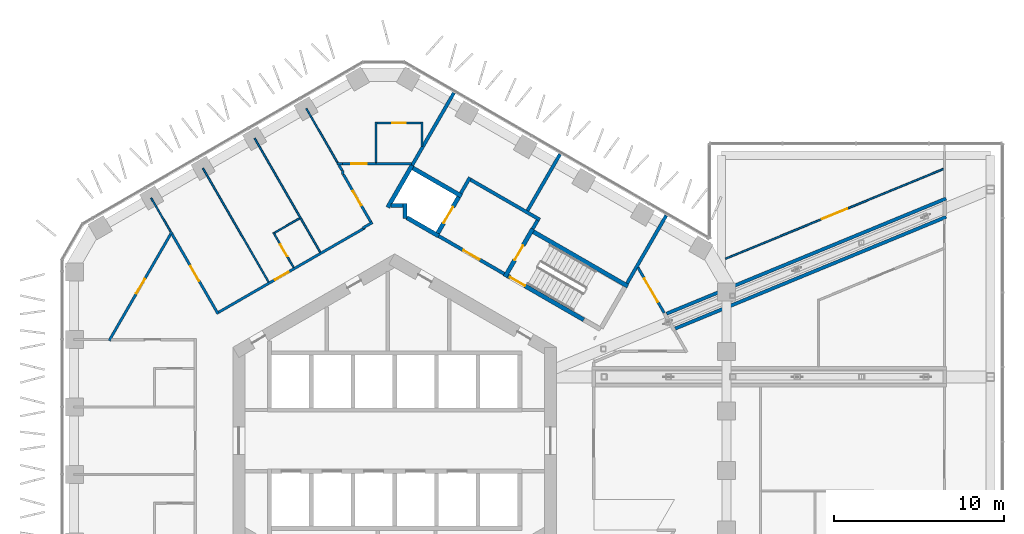
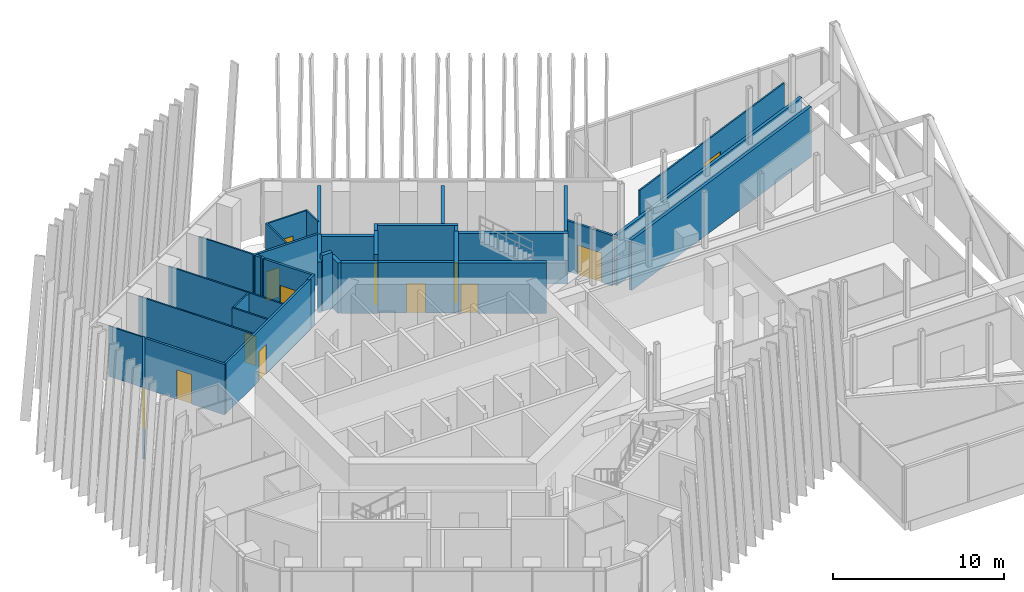
# One storey, part 22 of 28: 38 walls, 13 doors, 13 openings.
"""IFC4 building model written with IfcOpenShell, lengths in metres."""

from ifc_helpers import new_model, si_unit, direction, frame, frame_2d, origin, place, context, subcontext, project, spatial, rectangle, extrude, material, layer, layer_set, type_object, element, fill, save


model = new_model("IFC4")

# Units and contexts
model_context = context("Model", 3, precision=1e-05, world=origin(), true_north=direction((0.0, 1.0)))
body_context = subcontext(model_context, "Body", "Model", "MODEL_VIEW")
ifc_project = project(units=[si_unit("LENGTHUNIT", "METRE"), si_unit("AREAUNIT", "SQUARE_METRE"), si_unit("VOLUMEUNIT", "CUBIC_METRE"), si_unit("PLANEANGLEUNIT", "RADIAN"), si_unit("MASSUNIT", "GRAM", prefix="KILO")], contexts=[model_context])

# Site, building, storey
site_placement = place(None, origin())
site = spatial("IfcSite", under=ifc_project, at=site_placement, CompositionType="ELEMENT")
building_placement = place(site_placement, origin())
building = spatial("IfcBuilding", under=site, at=building_placement, Name="Ayvan Gate Tower", CompositionType="ELEMENT")
storey_placement = place(building_placement, frame((0.0, 0.0, 120.5)))
storey = spatial("IfcBuildingStorey", under=building, at=storey_placement, Name="L32", CompositionType="ELEMENT", Elevation=120.5)

# Wall, opening, door
ifc_material_1 = material(Name="Plasterboard on steel stud", Category="steel")
ifc_layer_1 = layer(ifc_material_1, 0.14990234375)
ifc_layer_set_1 = layer_set([ifc_layer_1], Name="Plasterboard on steel stud")
wall_type_1 = type_object("IfcWallType", Name="WT-CORR-150", PredefinedType="PARTITIONING", material=ifc_layer_set_1)
wall_1_placement = place(storey_placement, frame((-16.769775390625, 5.8720703125, 0.0), z_axis=(0.0, 0.0, 1.0), x_axis=(0.500023029176, 0.866012107475, 0.0)))
wall_1 = element("IfcWall", 1, at=wall_1_placement, inside=storey, type_object=wall_type_1, Name="IW-L32-003", PredefinedType="PARTITIONING", context=body_context, shape_type="SweptSolid", body=[
    extrude(rectangle(XDim=7.382568359375, YDim=0.14990234375, at=frame_2d((3.69140625, 0.0))), origin(), (0.0, 0.0, 1.0), 3.60009765625),
])
opening_1_placement = place(wall_1_placement, frame((3.19140625, 0.0, 0.0)))
opening_1 = element("IfcOpeningElement", 2, at=opening_1_placement, cuts=wall_1, Name="Opening L32-D19", PredefinedType="OPENING", context=body_context, shape_type="SweptSolid", body=[
    extrude(rectangle(XDim=1.0, YDim=2.10009765625, at=frame_2d((0.5, 1.050048828125))), frame((0.0, 0.0849609375, 0.0), z_axis=(0.0, -1.0, 0.0), x_axis=(1.0, 0.0, 0.0)), (0.0, 0.0, 1.0), 0.169921875),
])
ifc_material_2 = material(Name="Timber door leaf", Category="wood")
door_type_1 = type_object("IfcDoorType", Name="DT-1000", OperationType="NOTDEFINED", PredefinedType="DOOR", material=ifc_material_2)
door_1_placement = place(opening_1_placement, origin())
door_1 = element("IfcDoor", 3, at=door_1_placement, inside=storey, type_object=door_type_1, Name="ID-L32-019", OperationType="SINGLE_SWING_LEFT", OverallHeight=2.10009765625, OverallWidth=1.0, PredefinedType="DOOR", context=body_context, shape_type="SweptSolid", body=[
    extrude(rectangle(XDim=1.0, YDim=2.10009765625, at=frame_2d((0.5, 1.050048828125))), frame((0.0, 0.02490234375, 0.0), z_axis=(0.0, -1.0, 0.0), x_axis=(1.0, 0.0, 0.0)), (0.0, 0.0, 1.0), 0.050048828125),
])
fill(opening_1, door_1)

wall_2_placement = place(storey_placement, frame((-13.078369140625, 12.135498046875, 0.0), z_axis=(0.0, 0.0, 1.0), x_axis=(0.499992600721, -0.866029675718, 0.0)))
wall_2 = element("IfcWall", 4, at=wall_2_placement, inside=storey, type_object=wall_type_1, Name="IW-L32-011", PredefinedType="PARTITIONING", context=body_context, shape_type="SweptSolid", body=[
    extrude(rectangle(XDim=5.423828125, YDim=0.14990234375, at=frame_2d((2.7119140625, 0.0))), origin(), (0.0, 0.0, 1.0), 3.60009765625),
])
opening_2_placement = place(wall_2_placement, frame((2.174560546875, 0.0, 0.0)))
opening_2 = element("IfcOpeningElement", 5, at=opening_2_placement, cuts=wall_2, Name="Opening L32-D31", PredefinedType="OPENING", context=body_context, shape_type="SweptSolid", body=[
    extrude(rectangle(XDim=1.0, YDim=2.10009765625, at=frame_2d((0.5, 1.050048828125))), frame((0.0, 0.0849609375, 0.0), z_axis=(0.0, -1.0, 0.0), x_axis=(1.0, 0.0, 0.0)), (0.0, 0.0, 1.0), 0.169921875),
])
door_2_placement = place(opening_2_placement, origin())
door_2 = element("IfcDoor", 6, at=door_2_placement, inside=storey, type_object=door_type_1, Name="ID-L32-031", OperationType="SINGLE_SWING_LEFT", OverallHeight=2.10009765625, OverallWidth=1.0, PredefinedType="DOOR", context=body_context, shape_type="SweptSolid", body=[
    extrude(rectangle(XDim=1.0, YDim=2.10009765625, at=frame_2d((0.5, 1.050048828125))), frame((0.0, 0.02490234375, 0.0), z_axis=(0.0, -1.0, 0.0), x_axis=(1.0, 0.0, 0.0)), (0.0, 0.0, 1.0), 0.050048828125),
])
fill(opening_2, door_2)

wall_3_placement = place(storey_placement, frame((-10.339111328125, 7.540771484375, 0.0), z_axis=(0.0, 0.0, 1.0), x_axis=(0.86602646553, 0.499998160998, 0.0)))
wall_3 = element("IfcWall", 7, at=wall_3_placement, inside=storey, type_object=wall_type_1, Name="IW-L32-019", PredefinedType="PARTITIONING", context=body_context, shape_type="SweptSolid", body=[
    extrude(rectangle(XDim=9.91357421875, YDim=0.14990234375, at=frame_2d((4.956787109375, 0.0))), origin(), (0.0, 0.0, 1.0), 3.60009765625),
])
opening_3_placement = place(wall_3_placement, frame((3.830810546875, 0.0, 0.0)))
opening_3 = element("IfcOpeningElement", 8, at=opening_3_placement, cuts=wall_3, Name="Opening L32-D29", PredefinedType="OPENING", context=body_context, shape_type="SweptSolid", body=[
    extrude(rectangle(XDim=0.89990234375, YDim=2.10009765625, at=frame_2d((0.449951171875, 1.050048828125))), frame((0.0, 0.0849609375, 0.0), z_axis=(0.0, -1.0, 0.0), x_axis=(1.0, 0.0, 0.0)), (0.0, 0.0, 1.0), 0.169921875),
])
door_type_2 = type_object("IfcDoorType", Name="DT-900", OperationType="NOTDEFINED", PredefinedType="DOOR", material=ifc_material_2)
door_3_placement = place(opening_3_placement, origin())
door_3 = element("IfcDoor", 9, at=door_3_placement, inside=storey, type_object=door_type_2, Name="ID-L32-029", OperationType="SINGLE_SWING_LEFT", OverallHeight=2.10009765625, OverallWidth=0.89990234375, PredefinedType="DOOR", context=body_context, shape_type="SweptSolid", body=[
    extrude(rectangle(XDim=0.89990234375, YDim=2.10009765625, at=frame_2d((0.449951171875, 1.050048828125))), frame((0.0, 0.02490234375, 0.0), z_axis=(0.0, -1.0, 0.0), x_axis=(1.0, 0.0, 0.0)), (0.0, 0.0, 1.0), 0.050048828125),
])
fill(opening_3, door_3)

# Walls
wall_4_placement = place(storey_placement, frame((-3.39013671875, 16.259033203125, 0.0), z_axis=(0.0, 0.0, 1.0), x_axis=(1.0, 0.0, 0.0)))
element("IfcWall", 10, at=wall_4_placement, inside=storey, type_object=wall_type_1, Name="IW-L32-043", PredefinedType="PARTITIONING", context=body_context, shape_type="SweptSolid", body=[
    extrude(rectangle(XDim=0.340087890625, YDim=0.14990234375, at=frame_2d((0.169921875, 0.0))), origin(), (0.0, 0.0, 1.0), 3.60009765625),
])
wall_5_placement = place(storey_placement, frame((-3.050048828125, 15.624755859375, 0.0), z_axis=(0.0, 0.0, 1.0), x_axis=(0.0, 1.0, 0.0)))
element("IfcWall", 11, at=wall_5_placement, inside=storey, type_object=wall_type_1, Name="IW-L32-044", PredefinedType="PARTITIONING", context=body_context, shape_type="SweptSolid", body=[
    extrude(rectangle(XDim=0.25, YDim=0.14990234375, at=frame_2d((0.125, 0.0))), origin(), (0.0, 0.0, 1.0), 3.60009765625),
])
wall_6_placement = place(storey_placement, frame((-3.08740234375, 15.86474609375, 0.0), z_axis=(0.0, 0.0, 1.0), x_axis=(-0.500074377092, 0.865982457891, 0.0)))
element("IfcWall", 12, at=wall_6_placement, inside=storey, type_object=wall_type_1, Name="IW-L32-045", PredefinedType="PARTITIONING", context=body_context, shape_type="SweptSolid", body=[
    extrude(rectangle(XDim=0.38037109375, YDim=0.14990234375, at=frame_2d((0.190185546875, 0.0))), origin(), (0.0, 0.0, 1.0), 3.60009765625),
])

# Wall, opening, door
wall_7_placement = place(storey_placement, frame((-3.050048828125, 16.260009765625, 0.0), z_axis=(0.0, 0.0, 1.0), x_axis=(1.0, 0.0, 0.0)))
wall_7 = element("IfcWall", 13, at=wall_7_placement, inside=storey, type_object=wall_type_1, Name="IW-L32-046", PredefinedType="PARTITIONING", context=body_context, shape_type="SweptSolid", body=[
    extrude(rectangle(XDim=4.02392578125, YDim=0.14990234375, at=frame_2d((2.011962890625, 0.0))), origin(), (0.0, 0.0, 1.0), 3.60009765625),
])
opening_4_placement = place(wall_7_placement, frame((0.5146484375, 0.0, 0.0)))
opening_4 = element("IfcOpeningElement", 14, at=opening_4_placement, cuts=wall_7, Name="Opening L32-D17", PredefinedType="OPENING", context=body_context, shape_type="SweptSolid", body=[
    extrude(rectangle(XDim=0.89990234375, YDim=2.10009765625, at=frame_2d((0.449951171875, 1.050048828125))), frame((0.0, 0.0849609375, 0.0), z_axis=(0.0, -1.0, 0.0), x_axis=(1.0, 0.0, 0.0)), (0.0, 0.0, 1.0), 0.169921875),
])
door_4_placement = place(opening_4_placement, origin())
door_4 = element("IfcDoor", 15, at=door_4_placement, inside=storey, type_object=door_type_2, Name="ID-L32-017", OperationType="SINGLE_SWING_LEFT", OverallHeight=2.10009765625, OverallWidth=0.89990234375, PredefinedType="DOOR", context=body_context, shape_type="SweptSolid", body=[
    extrude(rectangle(XDim=0.89990234375, YDim=2.10009765625, at=frame_2d((0.449951171875, 1.050048828125))), frame((0.0, 0.02490234375, 0.0), z_axis=(0.0, -1.0, 0.0), x_axis=(1.0, 0.0, 0.0)), (0.0, 0.0, 1.0), 0.050048828125),
])
fill(opening_4, door_4)

# Wall
wall_8_placement = place(storey_placement, frame((-1.8798828125, 12.482421875, 0.0), z_axis=(0.0, 0.0, 1.0), x_axis=(0.866173457785, 0.499743475223, 0.0)))
element("IfcWall", 16, at=wall_8_placement, inside=storey, type_object=wall_type_1, Name="IW-L32-051", PredefinedType="PARTITIONING", context=body_context, shape_type="SweptSolid", body=[
    extrude(rectangle(XDim=0.670166015625, YDim=0.14990234375, at=frame_2d((0.3349609375, 0.0))), origin(), (0.0, 0.0, 1.0), 3.60009765625),
])

# Wall, opening, door
wall_9_placement = place(storey_placement, frame((-1.40185546875, 12.844970703125, 0.0), z_axis=(0.0, 0.0, 1.0), x_axis=(-0.499978313311, 0.866037924238, 0.0)))
wall_9 = element("IfcWall", 17, at=wall_9_placement, inside=storey, type_object=wall_type_1, Name="IW-L32-053", PredefinedType="PARTITIONING", context=body_context, shape_type="SweptSolid", body=[
    extrude(rectangle(XDim=3.221435546875, YDim=0.14990234375, at=frame_2d((1.61083984375, 0.0))), origin(), (0.0, 0.0, 1.0), 3.60009765625),
])
opening_5_placement = place(wall_9_placement, frame((1.110595703125, 0.0, 0.0)))
opening_5 = element("IfcOpeningElement", 18, at=opening_5_placement, cuts=wall_9, Name="Opening L32-D28", PredefinedType="OPENING", context=body_context, shape_type="SweptSolid", body=[
    extrude(rectangle(XDim=1.0, YDim=2.10009765625, at=frame_2d((0.5, 1.050048828125))), frame((0.0, 0.0849609375, 0.0), z_axis=(0.0, -1.0, 0.0), x_axis=(1.0, 0.0, 0.0)), (0.0, 0.0, 1.0), 0.169921875),
])
door_5_placement = place(opening_5_placement, origin())
door_5 = element("IfcDoor", 19, at=door_5_placement, inside=storey, type_object=door_type_1, Name="ID-L32-028", OperationType="SINGLE_SWING_RIGHT", OverallHeight=2.10009765625, OverallWidth=1.0, PredefinedType="DOOR", context=body_context, shape_type="SweptSolid", body=[
    extrude(rectangle(XDim=1.0, YDim=2.10009765625, at=frame_2d((0.5, 1.050048828125))), frame((0.0, 0.02490234375, 0.0), z_axis=(0.0, -1.0, 0.0), x_axis=(1.0, 0.0, 0.0)), (0.0, 0.0, 1.0), 0.050048828125),
])
fill(opening_5, door_5)

wall_10_placement = place(storey_placement, frame((14.286865234375, 10.17236328125, 0.0), z_axis=(0.0, 0.0, 1.0), x_axis=(0.500017452277, -0.866015327473, 0.0)))
wall_10 = element("IfcWall", 20, at=wall_10_placement, inside=storey, type_object=wall_type_1, Name="IW-L32-114", PredefinedType="PARTITIONING", context=body_context, shape_type="SweptSolid", body=[
    extrude(rectangle(XDim=3.08056640625, YDim=0.14990234375, at=frame_2d((1.540283203125, 0.0))), origin(), (0.0, 0.0, 1.0), 3.60009765625),
])
opening_6_placement = place(wall_10_placement, frame((0.740234375, 0.0, 0.0)))
opening_6 = element("IfcOpeningElement", 21, at=opening_6_placement, cuts=wall_10, Name="Opening L32-D45", PredefinedType="OPENING", context=body_context, shape_type="SweptSolid", body=[
    extrude(rectangle(XDim=1.60009765625, YDim=2.10009765625, at=frame_2d((0.800048828125, 1.050048828125))), frame((0.0, 0.0849609375, 0.0), z_axis=(0.0, -1.0, 0.0), x_axis=(1.0, 0.0, 0.0)), (0.0, 0.0, 1.0), 0.169921875),
])
door_type_3 = type_object("IfcDoorType", Name="DT-1600", OperationType="NOTDEFINED", PredefinedType="DOOR", material=ifc_material_2)
door_6_placement = place(opening_6_placement, origin())
door_6 = element("IfcDoor", 22, at=door_6_placement, inside=storey, type_object=door_type_3, Name="ID-L32-045", OperationType="SINGLE_SWING_LEFT", OverallHeight=2.10009765625, OverallWidth=1.60009765625, PredefinedType="DOOR", context=body_context, shape_type="SweptSolid", body=[
    extrude(rectangle(XDim=1.60009765625, YDim=2.10009765625, at=frame_2d((0.800048828125, 1.050048828125))), frame((0.0, 0.02490234375, 0.0), z_axis=(0.0, -1.0, 0.0), x_axis=(1.0, 0.0, 0.0)), (0.0, 0.0, 1.0), 0.050048828125),
])
fill(opening_6, door_6)

# Walls
ifc_layer_2 = layer(ifc_material_1, 0.10009765625)
ifc_layer_set_2 = layer_set([ifc_layer_2], Name="Plasterboard on steel stud")
wall_type_2 = type_object("IfcWallType", Name="WT-PART-100", PredefinedType="PARTITIONING", material=ifc_layer_set_2)
wall_11_placement = place(storey_placement, frame((-14.296875, 14.245849609375, 0.0), z_axis=(0.0, 0.0, 1.0), x_axis=(0.500042804318, -0.866000689289, 0.0)))
element("IfcWall", 23, at=wall_11_placement, inside=storey, type_object=wall_type_2, Name="IW-L32-005", PredefinedType="PARTITIONING", context=body_context, shape_type="SweptSolid", body=[
    extrude(rectangle(XDim=2.286865234375, YDim=0.10009765625, at=frame_2d((1.1435546875, 0.0))), origin(), (0.0, 0.0, 1.0), 3.60009765625),
])
wall_12_placement = place(storey_placement, frame((-7.405517578125, 9.321044921875, 0.0), z_axis=(0.0, 0.0, 1.0), x_axis=(-0.499997453958, 0.866026873738, 0.0)))
element("IfcWall", 24, at=wall_12_placement, inside=storey, type_object=wall_type_2, Name="IW-L32-025", PredefinedType="PARTITIONING", context=body_context, shape_type="SweptSolid", body=[
    extrude(rectangle(XDim=7.71044921875, YDim=0.10009765625, at=frame_2d((3.855224609375, 0.0))), origin(), (0.0, 0.0, 1.0), 3.60009765625),
])

# Wall, opening, door
wall_13_placement = place(storey_placement, frame((-7.120849609375, 12.227783203125, 0.0), z_axis=(0.0, 0.0, 1.0), x_axis=(0.499986429846, -0.866033238375, 0.0)))
wall_13 = element("IfcWall", 25, at=wall_13_placement, inside=storey, type_object=wall_type_2, Name="IW-L32-031", PredefinedType="PARTITIONING", context=body_context, shape_type="SweptSolid", body=[
    extrude(rectangle(XDim=2.375, YDim=0.10009765625, at=frame_2d((1.1875, 0.0))), origin(), (0.0, 0.0, 1.0), 3.60009765625),
])
opening_7_placement = place(wall_13_placement, frame((0.8125, 0.0, 0.0)))
opening_7 = element("IfcOpeningElement", 26, at=opening_7_placement, cuts=wall_13, Name="Opening L32-D30", PredefinedType="OPENING", context=body_context, shape_type="SweptSolid", body=[
    extrude(rectangle(XDim=0.800048828125, YDim=2.10009765625, at=frame_2d((0.39990234375, 1.050048828125))), frame((0.0, 0.06005859375, 0.0), z_axis=(0.0, -1.0, 0.0), x_axis=(1.0, 0.0, 0.0)), (0.0, 0.0, 1.0), 0.1201171875),
])
door_type_4 = type_object("IfcDoorType", Name="DT-800", OperationType="NOTDEFINED", PredefinedType="DOOR", material=ifc_material_2)
door_7_placement = place(opening_7_placement, origin())
door_7 = element("IfcDoor", 27, at=door_7_placement, inside=storey, type_object=door_type_4, Name="ID-L32-030", OperationType="SINGLE_SWING_RIGHT", OverallHeight=2.10009765625, OverallWidth=0.800048828125, PredefinedType="DOOR", context=body_context, shape_type="SweptSolid", body=[
    extrude(rectangle(XDim=0.800048828125, YDim=2.10009765625, at=frame_2d((0.39990234375, 1.050048828125))), frame((0.0, 0.02490234375, 0.0), z_axis=(0.0, -1.0, 0.0), x_axis=(1.0, 0.0, 0.0)), (0.0, 0.0, 1.0), 0.050048828125),
])
fill(opening_7, door_7)

# Walls
wall_14_placement = place(storey_placement, frame((-5.5751953125, 13.0625, 0.0), z_axis=(0.0, 0.0, 1.0), x_axis=(-0.86599729716, -0.500048678942, 0.0)))
element("IfcWall", 28, at=wall_14_placement, inside=storey, type_object=wall_type_2, Name="IW-L32-034", PredefinedType="PARTITIONING", context=body_context, shape_type="SweptSolid", body=[
    extrude(rectangle(XDim=1.705810546875, YDim=0.10009765625, at=frame_2d((0.85302734375, 0.0))), origin(), (0.0, 0.0, 1.0), 3.60009765625),
])
wall_15_placement = place(storey_placement, frame((-8.224853515625, 17.75146484375, 0.0), z_axis=(0.0, 0.0, 1.0), x_axis=(0.500021201058, -0.866013163002, 0.0)))
element("IfcWall", 29, at=wall_15_placement, inside=storey, type_object=wall_type_2, Name="IW-L32-035", PredefinedType="PARTITIONING", context=body_context, shape_type="SweptSolid", body=[
    extrude(rectangle(XDim=7.710693359375, YDim=0.10009765625, at=frame_2d((3.85546875, 0.0))), origin(), (0.0, 0.0, 1.0), 3.60009765625),
])
wall_16_placement = place(storey_placement, frame((-3.352783203125, 16.323974609375, 0.0), z_axis=(0.0, 0.0, 1.0), x_axis=(-0.499971846079, 0.866041657848, 0.0)))
element("IfcWall", 30, at=wall_16_placement, inside=storey, type_object=wall_type_2, Name="IW-L32-042", PredefinedType="PARTITIONING", context=body_context, shape_type="SweptSolid", body=[
    extrude(rectangle(XDim=3.672119140625, YDim=0.10009765625, at=frame_2d((1.8359375, 0.0))), origin(), (0.0, 0.0, 1.0), 3.60009765625),
])
wall_17_placement = place(storey_placement, frame((-1.090576171875, 18.708984375, 0.0), z_axis=(0.0, 0.0, 1.0), x_axis=(0.0, -1.0, 0.0)))
element("IfcWall", 31, at=wall_17_placement, inside=storey, type_object=wall_type_2, Name="IW-L32-054", PredefinedType="PARTITIONING", context=body_context, shape_type="SweptSolid", body=[
    extrude(rectangle(XDim=2.3740234375, YDim=0.10009765625, at=frame_2d((1.18701171875, 0.0))), origin(), (0.0, 0.0, 1.0), 3.60009765625),
])
wall_18_placement = place(storey_placement, frame((1.609375, 17.28759765625, 0.0), z_axis=(0.0, 0.0, 1.0), x_axis=(0.0, 1.0, 0.0)))
element("IfcWall", 32, at=wall_18_placement, inside=storey, type_object=wall_type_2, Name="IW-L32-072", PredefinedType="PARTITIONING", context=body_context, shape_type="SweptSolid", body=[
    extrude(rectangle(XDim=1.42138671875, YDim=0.10009765625, at=frame_2d((0.710693359375, 0.0))), origin(), (0.0, 0.0, 1.0), 3.60009765625),
])

# Wall, opening, door
wall_19_placement = place(storey_placement, frame((1.559326171875, 18.658935546875, 0.0), z_axis=(0.0, 0.0, 1.0), x_axis=(-1.0, 0.0, 0.0)))
wall_19 = element("IfcWall", 33, at=wall_19_placement, inside=storey, type_object=wall_type_2, Name="IW-L32-073", PredefinedType="PARTITIONING", context=body_context, shape_type="SweptSolid", body=[
    extrude(rectangle(XDim=2.599853515625, YDim=0.10009765625, at=frame_2d((1.2998046875, 0.0))), origin(), (0.0, 0.0, 1.0), 3.60009765625),
])
opening_8_placement = place(wall_19_placement, frame((0.89990234375, 0.0, 0.0)))
opening_8 = element("IfcOpeningElement", 34, at=opening_8_placement, cuts=wall_19, Name="Opening L32-D18", PredefinedType="OPENING", context=body_context, shape_type="SweptSolid", body=[
    extrude(rectangle(XDim=0.800048828125, YDim=2.10009765625, at=frame_2d((0.39990234375, 1.050048828125))), frame((0.0, 0.06005859375, 0.0), z_axis=(0.0, -1.0, 0.0), x_axis=(1.0, 0.0, 0.0)), (0.0, 0.0, 1.0), 0.1201171875),
])
door_8_placement = place(opening_8_placement, origin())
door_8 = element("IfcDoor", 35, at=door_8_placement, inside=storey, type_object=door_type_4, Name="ID-L32-018", OperationType="SINGLE_SWING_RIGHT", OverallHeight=2.10009765625, OverallWidth=0.800048828125, PredefinedType="DOOR", context=body_context, shape_type="SweptSolid", body=[
    extrude(rectangle(XDim=0.800048828125, YDim=2.10009765625, at=frame_2d((0.39990234375, 1.050048828125))), frame((0.0, 0.02490234375, 0.0), z_axis=(0.0, -1.0, 0.0), x_axis=(1.0, 0.0, 0.0)), (0.0, 0.0, 1.0), 0.050048828125),
])
fill(opening_8, door_8)

wall_20_placement = place(storey_placement, frame((19.436767578125, 10.684814453125, 0.0), z_axis=(0.0, 0.0, 1.0), x_axis=(0.924603272901, 0.380931473813, 0.0)))
wall_20 = element("IfcWall", 36, at=wall_20_placement, inside=storey, type_object=wall_type_2, Name="IW-L32-128", PredefinedType="PARTITIONING", context=body_context, shape_type="SweptSolid", body=[
    extrude(rectangle(XDim=13.855712890625, YDim=0.10009765625, at=frame_2d((6.927734375, 0.0))), origin(), (0.0, 0.0, 1.0), 3.60009765625),
])
opening_9_placement = place(wall_20_placement, frame((6.1279296875, 0.0, 0.0)))
opening_9 = element("IfcOpeningElement", 37, at=opening_9_placement, cuts=wall_20, Name="Opening L32-D46", PredefinedType="OPENING", context=body_context, shape_type="SweptSolid", body=[
    extrude(rectangle(XDim=1.60009765625, YDim=2.10009765625, at=frame_2d((0.800048828125, 1.050048828125))), frame((0.0, 0.06005859375, 0.0), z_axis=(0.0, -1.0, 0.0), x_axis=(1.0, 0.0, 0.0)), (0.0, 0.0, 1.0), 0.1201171875),
])
door_9_placement = place(opening_9_placement, origin())
door_9 = element("IfcDoor", 38, at=door_9_placement, inside=storey, type_object=door_type_3, Name="ID-L32-046", OperationType="SINGLE_SWING_RIGHT", OverallHeight=2.10009765625, OverallWidth=1.60009765625, PredefinedType="DOOR", context=body_context, shape_type="SweptSolid", body=[
    extrude(rectangle(XDim=1.60009765625, YDim=2.10009765625, at=frame_2d((0.800048828125, 1.050048828125))), frame((0.0, 0.02490234375, 0.0), z_axis=(0.0, -1.0, 0.0), x_axis=(1.0, 0.0, 0.0)), (0.0, 0.0, 1.0), 0.050048828125),
])
fill(opening_9, door_9)

# Walls
ifc_layer_3 = layer(ifc_material_1, 0.199951171875)
ifc_layer_set_3 = layer_set([ifc_layer_3], Name="Plasterboard on steel stud")
wall_type_3 = type_object("IfcWallType", Name="WT-PLUMB-200", PredefinedType="PLUMBINGWALL", material=ifc_layer_set_3)
wall_21_placement = place(storey_placement, frame((1.027099609375, 16.178955078125, 0.0), z_axis=(0.0, 0.0, 1.0), x_axis=(0.499999703803, 0.866025574794, 0.0)))
element("IfcWall", 39, at=wall_21_placement, inside=storey, type_object=wall_type_3, Name="IW-L32-070", PredefinedType="PLUMBINGWALL", context=body_context, shape_type="SweptSolid", body=[
    extrude(rectangle(XDim=4.90380859375, YDim=0.199951171875, at=frame_2d((2.451904296875, 0.0))), origin(), (0.0, 0.0, 1.0), 3.60009765625),
])
wall_22_placement = place(storey_placement, frame((3.885009765625, 14.52880859375, 0.0), z_axis=(0.0, 0.0, 1.0), x_axis=(0.499997628298, 0.866026773083, 0.0)))
element("IfcWall", 40, at=wall_22_placement, inside=storey, type_object=wall_type_3, Name="IW-L32-085", PredefinedType="PLUMBINGWALL", context=body_context, shape_type="SweptSolid", body=[
    extrude(rectangle(XDim=1.0751953125, YDim=0.199951171875, at=frame_2d((0.53759765625, 0.0))), origin(), (0.0, 0.0, 1.0), 3.60009765625),
])
wall_23_placement = place(storey_placement, frame((4.458984375, 15.323486328125, 0.0), z_axis=(0.0, 0.0, 1.0), x_axis=(0.866016039709, -0.500016218704, 0.0)))
element("IfcWall", 41, at=wall_23_placement, inside=storey, type_object=wall_type_3, Name="IW-L32-086", PredefinedType="PLUMBINGWALL", context=body_context, shape_type="SweptSolid", body=[
    extrude(rectangle(XDim=4.699951171875, YDim=0.199951171875, at=frame_2d((2.35009765625, 0.0))), origin(), (0.0, 0.0, 1.0), 3.60009765625),
])
wall_24_placement = place(storey_placement, frame((7.800048828125, 13.510009765625, 0.0), z_axis=(0.0, 0.0, 1.0), x_axis=(0.500000286673, 0.866025238274, 0.0)))
element("IfcWall", 42, at=wall_24_placement, inside=storey, type_object=wall_type_3, Name="IW-L32-098", PredefinedType="PLUMBINGWALL", context=body_context, shape_type="SweptSolid", body=[
    extrude(rectangle(XDim=3.82861328125, YDim=0.199951171875, at=frame_2d((1.914306640625, 0.0))), origin(), (0.0, 0.0, 1.0), 3.60009765625),
])
wall_25_placement = place(storey_placement, frame((8.392822265625, 12.936767578125, 0.0), z_axis=(0.0, 0.0, 1.0), x_axis=(-0.500065409566, -0.86598763626, 0.0)))
element("IfcWall", 43, at=wall_25_placement, inside=storey, type_object=wall_type_3, Name="IW-L32-100", PredefinedType="PLUMBINGWALL", context=body_context, shape_type="SweptSolid", body=[
    extrude(rectangle(XDim=0.5751953125, YDim=0.199951171875, at=frame_2d((0.28759765625, 0.0))), origin(), (0.0, 0.0, 1.0), 3.60009765625),
])
wall_26_placement = place(storey_placement, frame((13.64794921875, 9.23876953125, 0.0), z_axis=(0.0, 0.0, 1.0), x_axis=(0.499971870506, 0.866041643746, 0.0)))
element("IfcWall", 44, at=wall_26_placement, inside=storey, type_object=wall_type_3, Name="IW-L32-115", PredefinedType="PLUMBINGWALL", context=body_context, shape_type="SweptSolid", body=[
    extrude(rectangle(XDim=4.603759765625, YDim=0.199951171875, at=frame_2d((2.3017578125, 0.0))), origin(), (0.0, 0.0, 1.0), 3.60009765625),
])
wall_27_placement = place(storey_placement, frame((15.969482421875, 7.456298828125, 0.0), z_axis=(0.0, 0.0, 1.0), x_axis=(0.924606037794, 0.380924762749, 0.0)))
element("IfcWall", 45, at=wall_27_placement, inside=storey, type_object=wall_type_3, Name="IW-L32-121", PredefinedType="PLUMBINGWALL", context=body_context, shape_type="SweptSolid", body=[
    extrude(rectangle(XDim=17.755859375, YDim=0.199951171875, at=frame_2d((8.8779296875, 0.0))), origin(), (0.0, 0.0, 1.0), 3.60009765625),
])
wall_28_placement = place(storey_placement, frame((32.38671875, 13.138427734375, 0.0), z_axis=(0.0, 0.0, 1.0), x_axis=(-0.924603164354, -0.380931737279, 0.0)))
element("IfcWall", 46, at=wall_28_placement, inside=storey, type_object=wall_type_3, Name="IW-L32-148", PredefinedType="PLUMBINGWALL", context=body_context, shape_type="SweptSolid", body=[
    extrude(rectangle(XDim=17.210205078125, YDim=0.199951171875, at=frame_2d((8.60498046875, 0.0))), origin(), (0.0, 0.0, 1.0), 3.60009765625),
])

# Wall, opening, door
ifc_layer_4 = layer(ifc_material_1, 0.199951171875)
ifc_layer_set_4 = layer_set([ifc_layer_4], Name="Plasterboard on steel stud")
wall_type_4 = type_object("IfcWallType", Name="WT-RATED-200", PredefinedType="PARTITIONING", material=ifc_layer_set_4)
wall_29_placement = place(storey_placement, frame((6.4345703125, 9.794921875, 0.0), z_axis=(0.0, 0.0, 1.0), x_axis=(-0.866012907634, 0.500021643343, 0.0)))
wall_29 = element("IfcWall", 47, at=wall_29_placement, inside=storey, type_object=wall_type_4, Name="IW-L32-089", PredefinedType="PARTITIONING", context=body_context, shape_type="SweptSolid", body=[
    extrude(rectangle(XDim=4.449951171875, YDim=0.199951171875, at=frame_2d((2.22509765625, 0.0))), origin(), (0.0, 0.0, 1.0), 3.60009765625),
])
opening_10_placement = place(wall_29_placement, frame((1.675048828125, 0.0, 0.0)))
opening_10 = element("IfcOpeningElement", 48, at=opening_10_placement, cuts=wall_29, Name="Opening L32-D08", PredefinedType="OPENING", context=body_context, shape_type="SweptSolid", body=[
    extrude(rectangle(XDim=1.10009765625, YDim=2.10009765625, at=frame_2d((0.550048828125, 1.050048828125))), frame((0.0, 0.10986328125, 0.0), z_axis=(0.0, -1.0, 0.0), x_axis=(1.0, 0.0, 0.0)), (0.0, 0.0, 1.0), 0.219970703125),
])
door_type_5 = type_object("IfcDoorType", Name="DT-1100", OperationType="NOTDEFINED", PredefinedType="DOOR", material=ifc_material_2)
door_10_placement = place(opening_10_placement, origin())
door_10 = element("IfcDoor", 49, at=door_10_placement, inside=storey, type_object=door_type_5, Name="ID-L32-008", OperationType="SINGLE_SWING_RIGHT", OverallHeight=2.10009765625, OverallWidth=1.10009765625, PredefinedType="DOOR", context=body_context, shape_type="SweptSolid", body=[
    extrude(rectangle(XDim=1.10009765625, YDim=2.10009765625, at=frame_2d((0.550048828125, 1.050048828125))), frame((0.0, 0.02490234375, 0.0), z_axis=(0.0, -1.0, 0.0), x_axis=(1.0, 0.0, 0.0)), (0.0, 0.0, 1.0), 0.050048828125),
])
fill(opening_10, door_10)

# Walls
ifc_material_3 = material(Name="Concrete C50/60", Category="concrete")
ifc_layer_5 = layer(ifc_material_3, 0.25)
ifc_layer_set_5 = layer_set([ifc_layer_5], Name="Concrete C50/60")
wall_type_5 = type_object("IfcWallType", Name="WT-RC-250", PredefinedType="SHEAR", material=ifc_layer_set_5)
wall_30_placement = place(storey_placement, frame((-0.403076171875, 13.70166015625, 0.0), z_axis=(0.0, 0.0, 1.0), x_axis=(0.499976111731, 0.866039195244, 0.0)))
element("IfcWall", 50, at=wall_30_placement, inside=storey, type_object=wall_type_5, Name="IW-L32-064", PredefinedType="SHEAR", context=body_context, shape_type="SweptSolid", body=[
    extrude(rectangle(XDim=2.860595703125, YDim=0.25, at=frame_2d((1.43017578125, 0.0))), origin(), (0.0, 0.0, 1.0), 3.60009765625),
])
wall_31_placement = place(storey_placement, frame((0.60009765625, 13.03857421875, 0.0), z_axis=(0.0, 0.0, 1.0), x_axis=(0.0, 1.0, 0.0)))
element("IfcWall", 51, at=wall_31_placement, inside=storey, type_object=wall_type_5, Name="IW-L32-068", PredefinedType="SHEAR", context=body_context, shape_type="SweptSolid", body=[
    extrude(rectangle(XDim=0.896484375, YDim=0.25, at=frame_2d((0.4482421875, 0.0))), origin(), (0.0, 0.0, 1.0), 3.60009765625),
])
wall_32_placement = place(storey_placement, frame((0.47509765625, 13.81005859375, 0.0), z_axis=(0.0, 0.0, 1.0), x_axis=(-1.0, 0.0, 0.0)))
element("IfcWall", 52, at=wall_32_placement, inside=storey, type_object=wall_type_5, Name="IW-L32-069", PredefinedType="SHEAR", context=body_context, shape_type="SweptSolid", body=[
    extrude(rectangle(XDim=0.690673828125, YDim=0.25, at=frame_2d((0.34521484375, 0.0))), origin(), (0.0, 0.0, 1.0), 4.0),
])
wall_33_placement = place(storey_placement, frame((1.072998046875, 16.00830078125, 0.0), z_axis=(0.0, 0.0, 1.0), x_axis=(0.866040211805, -0.499974350878, 0.0)))
element("IfcWall", 53, at=wall_33_placement, inside=storey, type_object=wall_type_5, Name="IW-L32-071", PredefinedType="SHEAR", context=body_context, shape_type="SweptSolid", body=[
    extrude(rectangle(XDim=3.300048828125, YDim=0.25, at=frame_2d((1.64990234375, 0.0))), origin(), (0.0, 0.0, 1.0), 3.60009765625),
])
wall_34_placement = place(storey_placement, frame((2.580810546875, 12.02001953125, 0.0), z_axis=(0.0, 0.0, 1.0), x_axis=(-0.86603892542, 0.499976579108, 0.0)))
element("IfcWall", 54, at=wall_34_placement, inside=storey, type_object=wall_type_5, Name="IW-L32-080", PredefinedType="SHEAR", context=body_context, shape_type="SweptSolid", body=[
    extrude(rectangle(XDim=2.162109375, YDim=0.25, at=frame_2d((1.0810546875, 0.0))), origin(), (0.0, 0.0, 1.0), 3.60009765625),
])

# Wall, opening, door
wall_35_placement = place(storey_placement, frame((2.534912109375, 12.19091796875, 0.0), z_axis=(0.0, 0.0, 1.0), x_axis=(0.500061746146, 0.865989751695, 0.0)))
wall_35 = element("IfcWall", 55, at=wall_35_placement, inside=storey, type_object=wall_type_5, Name="IW-L32-081", PredefinedType="SHEAR", context=body_context, shape_type="SweptSolid", body=[
    extrude(rectangle(XDim=2.449951171875, YDim=0.25, at=frame_2d((1.22509765625, 0.0))), origin(), (0.0, 0.0, 1.0), 4.0),
])
opening_11_placement = place(wall_35_placement, frame((0.675048828125, 0.0, 0.0)))
opening_11 = element("IfcOpeningElement", 56, at=opening_11_placement, cuts=wall_35, Name="Opening L32-LD-FF1", PredefinedType="OPENING", context=body_context, shape_type="SweptSolid", body=[
    extrude(rectangle(XDim=1.10009765625, YDim=2.10009765625, at=frame_2d((0.550048828125, 1.050048828125))), frame((0.0, 0.135009765625, 0.0), z_axis=(0.0, -1.0, 0.0), x_axis=(1.0, 0.0, 0.0)), (0.0, 0.0, 1.0), 0.27001953125),
])
ifc_material_4 = material(Name="Stainless steel landing door", Category="steel")
door_type_6 = type_object("IfcDoorType", Name="DT-LANDING-1100", OperationType="SLIDING_TO_LEFT", PredefinedType="DOOR", material=ifc_material_4)
door_11_placement = place(opening_11_placement, origin())
door_11 = element("IfcDoor", 57, at=door_11_placement, inside=storey, type_object=door_type_6, Name="ID-L32-009", OperationType="SLIDING_TO_LEFT", OverallHeight=2.10009765625, OverallWidth=1.10009765625, PredefinedType="DOOR", context=body_context, shape_type="SweptSolid", body=[
    extrude(rectangle(XDim=1.10009765625, YDim=2.10009765625, at=frame_2d((0.550048828125, 1.050048828125))), frame((0.0, 0.02490234375, 0.0), z_axis=(0.0, -1.0, 0.0), x_axis=(1.0, 0.0, 0.0)), (0.0, 0.0, 1.0), 0.050048828125),
])
fill(opening_11, door_11)

wall_36_placement = place(storey_placement, frame((6.480224609375, 9.624267578125, 0.0), z_axis=(0.0, 0.0, 1.0), x_axis=(0.500017246033, 0.866015446554, 0.0)))
wall_36 = element("IfcWall", 58, at=wall_36_placement, inside=storey, type_object=wall_type_5, Name="IW-L32-090", PredefinedType="SHEAR", context=body_context, shape_type="SweptSolid", body=[
    extrude(rectangle(XDim=3.25, YDim=0.25, at=frame_2d((1.625, 0.0))), origin(), (0.0, 0.0, 1.0), 3.60009765625),
])
opening_12_placement = place(wall_36_placement, frame((1.125, 0.0, 0.0)))
opening_12 = element("IfcOpeningElement", 59, at=opening_12_placement, cuts=wall_36, Name="Opening L32-D07", PredefinedType="OPENING", context=body_context, shape_type="SweptSolid", body=[
    extrude(rectangle(XDim=1.0, YDim=2.10009765625, at=frame_2d((0.5, 1.050048828125))), frame((0.0, 0.135009765625, 0.0), z_axis=(0.0, -1.0, 0.0), x_axis=(1.0, 0.0, 0.0)), (0.0, 0.0, 1.0), 0.27001953125),
])
door_12_placement = place(opening_12_placement, origin())
door_12 = element("IfcDoor", 60, at=door_12_placement, inside=storey, type_object=door_type_1, Name="ID-L32-007", OperationType="SINGLE_SWING_LEFT", OverallHeight=2.10009765625, OverallWidth=1.0, PredefinedType="DOOR", context=body_context, shape_type="SweptSolid", body=[
    extrude(rectangle(XDim=1.0, YDim=2.10009765625, at=frame_2d((0.5, 1.050048828125))), frame((0.0, 0.02490234375, 0.0), z_axis=(0.0, -1.0, 0.0), x_axis=(1.0, 0.0, 0.0)), (0.0, 0.0, 1.0), 0.050048828125),
])
fill(opening_12, door_12)

# Wall
wall_37_placement = place(storey_placement, frame((8.151123046875, 12.26806640625, 0.0), z_axis=(0.0, 0.0, 1.0), x_axis=(0.866025499775, -0.499999833739, 0.0)))
element("IfcWall", 61, at=wall_37_placement, inside=storey, type_object=wall_type_5, Name="IW-L32-099", PredefinedType="SHEAR", context=body_context, shape_type="SweptSolid", body=[
    extrude(rectangle(XDim=6.39990234375, YDim=0.25, at=frame_2d((3.199951171875, 0.0))), origin(), (0.0, 0.0, 1.0), 3.60009765625),
])

# Wall, opening, door
wall_38_placement = place(storey_placement, frame((11.10009765625, 7.101318359375, 0.0), z_axis=(0.0, 0.0, 1.0), x_axis=(-0.8660265141, 0.499998076872, 0.0)))
wall_38 = element("IfcWall", 62, at=wall_38_placement, inside=storey, type_object=wall_type_5, Name="IW-L32-105", PredefinedType="SHEAR", context=body_context, shape_type="SweptSolid", body=[
    extrude(rectangle(XDim=5.13720703125, YDim=0.25, at=frame_2d((2.568603515625, 0.0))), origin(), (0.0, 0.0, 1.0), 3.60009765625),
])
opening_13_placement = place(wall_38_placement, frame((3.9873046875, 0.0, 0.0)))
opening_13 = element("IfcOpeningElement", 63, at=opening_13_placement, cuts=wall_38, Name="Opening L32-D06", PredefinedType="OPENING", context=body_context, shape_type="SweptSolid", body=[
    extrude(rectangle(XDim=1.0, YDim=2.10009765625, at=frame_2d((0.5, 1.050048828125))), frame((0.0, 0.135009765625, 0.0), z_axis=(0.0, -1.0, 0.0), x_axis=(1.0, 0.0, 0.0)), (0.0, 0.0, 1.0), 0.27001953125),
])
door_13_placement = place(opening_13_placement, origin())
door_13 = element("IfcDoor", 64, at=door_13_placement, inside=storey, type_object=door_type_1, Name="ID-L32-006", OperationType="SINGLE_SWING_RIGHT", OverallHeight=2.10009765625, OverallWidth=1.0, PredefinedType="DOOR", context=body_context, shape_type="SweptSolid", body=[
    extrude(rectangle(XDim=1.0, YDim=2.10009765625, at=frame_2d((0.5, 1.050048828125))), frame((0.0, 0.02490234375, 0.0), z_axis=(0.0, -1.0, 0.0), x_axis=(1.0, 0.0, 0.0)), (0.0, 0.0, 1.0), 0.050048828125),
])
fill(opening_13, door_13)

save(model, "model.ifc")
